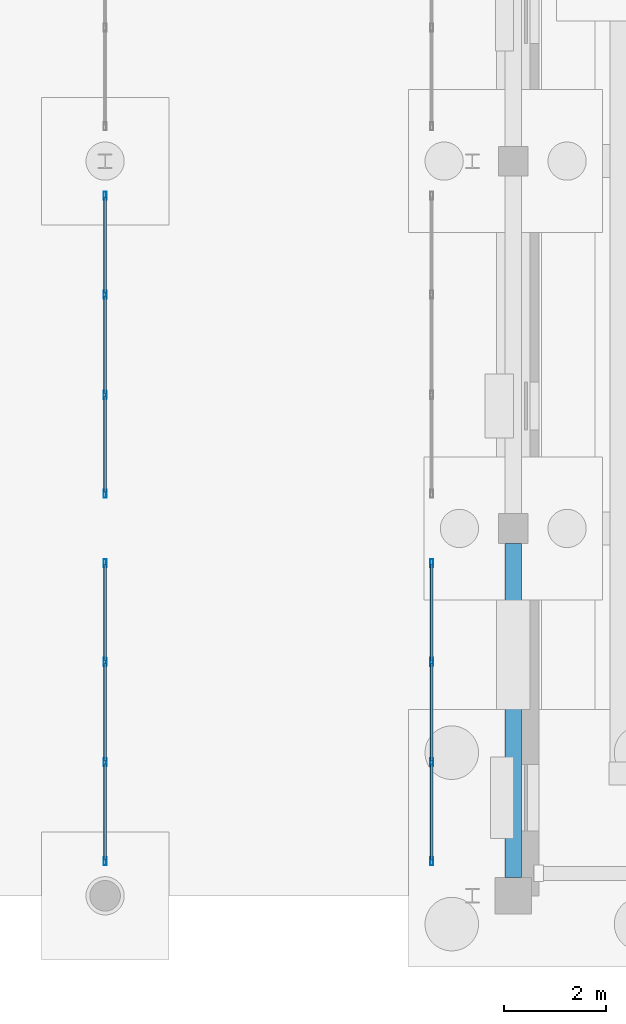
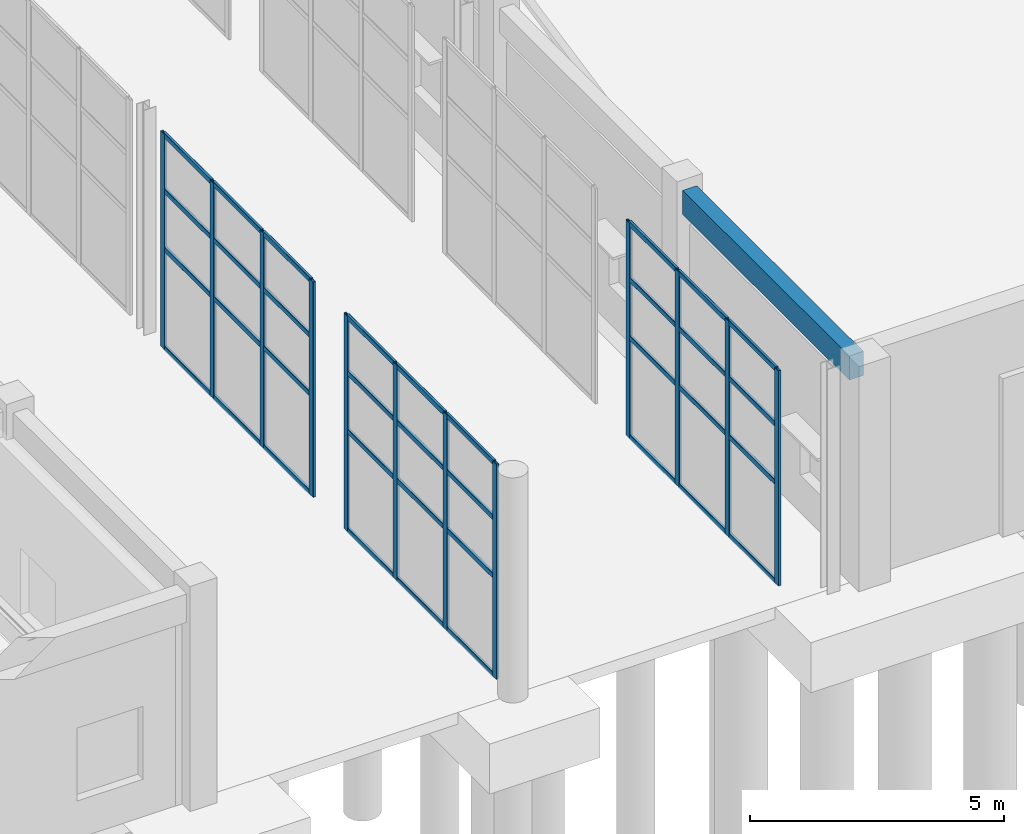
# One storey, part 22 of 91: 48 members, 1 beam, 3 elements without a shape of their own.
"""IFC4 building model written with IfcOpenShell, lengths in metres."""

from ifc_helpers import new_model, si_unit, direction, frame, origin, origin_2d, place, context, subcontext, project, spatial, rectangle, hollow_rectangle, extrude, material, material_profile, profile_set, type_object, element, aggregate, save


model = new_model("IFC4")

# Units and contexts
model_context = context("Model", 3, precision=1e-05, world=origin(), true_north=direction((0.0, 1.0)))
body_context = subcontext(model_context, "Body", "Model", "MODEL_VIEW")
ifc_project = project(units=[si_unit("LENGTHUNIT", "METRE"), si_unit("AREAUNIT", "SQUARE_METRE"), si_unit("VOLUMEUNIT", "CUBIC_METRE"), si_unit("PLANEANGLEUNIT", "RADIAN"), si_unit("MASSUNIT", "GRAM", prefix="KILO")], contexts=[model_context])

# Site, building, storey
site_placement = place(None, origin())
site = spatial("IfcSite", under=ifc_project, at=site_placement, CompositionType="ELEMENT")
building_placement = place(site_placement, origin())
building = spatial("IfcBuilding", under=site, at=building_placement, Name="Bramveld Media Centre", CompositionType="ELEMENT")
storey_placement = place(building_placement, origin())
storey = spatial("IfcBuildingStorey", under=building, at=storey_placement, Name="L00", CompositionType="ELEMENT", Elevation=0.0)

# Curtain wall, members
ifc_material_1 = material(Name="Thermally broken anodized bronze aluminium unitized curtain wall with solar-control triple glazing", Category="aluminium")
curtain_wall_type = type_object("IfcCurtainWallType", Name="CW-GAL-5900x5160", PredefinedType="NOTDEFINED", material=ifc_material_1)
curtain_wall_1_placement = place(storey_placement, origin())
curtain_wall_1 = element("IfcCurtainWall", 1, at=curtain_wall_1_placement, inside=storey, type_object=curtain_wall_type, Name="PASS-M colonnade glazed screen 1", PredefinedType="NOTDEFINED")
ifc_material_2 = material(Name="Thermally broken anodized bronze aluminium EN AW-6063 T6 curtain-wall framing", Category="aluminium")
ifc_material_profile_1 = material_profile(ifc_material_2, hollow_rectangle(XDim=0.06005859375, YDim=0.159912109375, WallThickness=0.00390625, InnerFilletRadius=0.00390625, OuterFilletRadius=0.008056640625, at=origin_2d()), Name="AL-MULL 60x160")
ifc_profile_set_1 = profile_set([ifc_material_profile_1], Name="Thermally broken anodized bronze aluminium EN AW-6063 T6 curtain-wall framing")
member_type_1 = type_object("IfcMemberType", Name="CW-MULL-EXT", PredefinedType="MULLION", material=ifc_profile_set_1)
member_1_placement = place(storey_placement, frame((116.0, 0.679931640625, 0.0), z_axis=(0.0, 0.0, 1.0), x_axis=(-1.0, 0.0, 0.0)))
member_1 = element("IfcMember", 2, at=member_1_placement, type_object=member_type_1, Name="CW-GA-5951 mullion 1", PredefinedType="MULLION", context=body_context, shape_type="SweptSolid", body=[
    extrude(hollow_rectangle(XDim=0.06005859375, YDim=0.159912109375, WallThickness=0.00390625, InnerFilletRadius=0.00390625, OuterFilletRadius=0.008056640625, at=origin_2d()), origin(), (0.0, 0.0, 1.0), 5.159912109375),
])
member_2_placement = place(storey_placement, frame((116.0, 2.61669921875, 0.0), z_axis=(0.0, 0.0, 1.0), x_axis=(-1.0, 0.0, 0.0)))
member_2 = element("IfcMember", 3, at=member_2_placement, type_object=member_type_1, Name="CW-GA-5951 mullion 2", PredefinedType="MULLION", context=body_context, shape_type="SweptSolid", body=[
    extrude(hollow_rectangle(XDim=0.06005859375, YDim=0.159912109375, WallThickness=0.00390625, InnerFilletRadius=0.00390625, OuterFilletRadius=0.008056640625, at=origin_2d()), origin(), (0.0, 0.0, 1.0), 5.159912109375),
])
member_3_placement = place(storey_placement, frame((116.0, 4.583251953125, 0.0), z_axis=(0.0, 0.0, 1.0), x_axis=(-1.0, 0.0, 0.0)))
member_3 = element("IfcMember", 4, at=member_3_placement, type_object=member_type_1, Name="CW-GA-5951 mullion 3", PredefinedType="MULLION", context=body_context, shape_type="SweptSolid", body=[
    extrude(hollow_rectangle(XDim=0.06005859375, YDim=0.159912109375, WallThickness=0.00390625, InnerFilletRadius=0.00390625, OuterFilletRadius=0.008056640625, at=origin_2d()), origin(), (0.0, 0.0, 1.0), 5.159912109375),
])
member_4_placement = place(storey_placement, frame((116.0, 6.52001953125, 0.0), z_axis=(0.0, 0.0, 1.0), x_axis=(-1.0, 0.0, 0.0)))
member_4 = element("IfcMember", 5, at=member_4_placement, type_object=member_type_1, Name="CW-GA-5951 mullion 4", PredefinedType="MULLION", context=body_context, shape_type="SweptSolid", body=[
    extrude(hollow_rectangle(XDim=0.06005859375, YDim=0.159912109375, WallThickness=0.00390625, InnerFilletRadius=0.00390625, OuterFilletRadius=0.008056640625, at=origin_2d()), origin(), (0.0, 0.0, 1.0), 5.159912109375),
])

curtain_wall_2_placement = place(storey_placement, origin())
curtain_wall_2 = element("IfcCurtainWall", 6, at=curtain_wall_2_placement, inside=storey, type_object=curtain_wall_type, Name="PASS-M colonnade glazed screen 2", PredefinedType="NOTDEFINED")
member_5_placement = place(storey_placement, frame((116.0, 7.8798828125, 0.0), z_axis=(0.0, 0.0, 1.0), x_axis=(-1.0, 0.0, 0.0)))
member_5 = element("IfcMember", 7, at=member_5_placement, type_object=member_type_1, Name="CW-GA-5951 mullion 1", PredefinedType="MULLION", context=body_context, shape_type="SweptSolid", body=[
    extrude(hollow_rectangle(XDim=0.06005859375, YDim=0.159912109375, WallThickness=0.00390625, InnerFilletRadius=0.00390625, OuterFilletRadius=0.008056640625, at=origin_2d()), origin(), (0.0, 0.0, 1.0), 5.159912109375),
])
member_6_placement = place(storey_placement, frame((116.0, 9.816650390625, 0.0), z_axis=(0.0, 0.0, 1.0), x_axis=(-1.0, 0.0, 0.0)))
member_6 = element("IfcMember", 8, at=member_6_placement, type_object=member_type_1, Name="CW-GA-5951 mullion 2", PredefinedType="MULLION", context=body_context, shape_type="SweptSolid", body=[
    extrude(hollow_rectangle(XDim=0.06005859375, YDim=0.159912109375, WallThickness=0.00390625, InnerFilletRadius=0.00390625, OuterFilletRadius=0.008056640625, at=origin_2d()), origin(), (0.0, 0.0, 1.0), 5.159912109375),
])
member_7_placement = place(storey_placement, frame((116.0, 11.783447265625, 0.0), z_axis=(0.0, 0.0, 1.0), x_axis=(-1.0, 0.0, 0.0)))
member_7 = element("IfcMember", 9, at=member_7_placement, type_object=member_type_1, Name="CW-GA-5951 mullion 3", PredefinedType="MULLION", context=body_context, shape_type="SweptSolid", body=[
    extrude(hollow_rectangle(XDim=0.06005859375, YDim=0.159912109375, WallThickness=0.00390625, InnerFilletRadius=0.00390625, OuterFilletRadius=0.008056640625, at=origin_2d()), origin(), (0.0, 0.0, 1.0), 5.159912109375),
])
member_8_placement = place(storey_placement, frame((116.0, 13.719970703125, 0.0), z_axis=(0.0, 0.0, 1.0), x_axis=(-1.0, 0.0, 0.0)))
member_8 = element("IfcMember", 10, at=member_8_placement, type_object=member_type_1, Name="CW-GA-5951 mullion 4", PredefinedType="MULLION", context=body_context, shape_type="SweptSolid", body=[
    extrude(hollow_rectangle(XDim=0.06005859375, YDim=0.159912109375, WallThickness=0.00390625, InnerFilletRadius=0.00390625, OuterFilletRadius=0.008056640625, at=origin_2d()), origin(), (0.0, 0.0, 1.0), 5.159912109375),
])

curtain_wall_3_placement = place(storey_placement, origin())
curtain_wall_3 = element("IfcCurtainWall", 11, at=curtain_wall_3_placement, inside=storey, type_object=curtain_wall_type, Name="PASS-E colonnade glazed screen 1", PredefinedType="NOTDEFINED")
member_9_placement = place(storey_placement, frame((122.39990234375, 0.679931640625, 0.0), z_axis=(0.0, 0.0, 1.0), x_axis=(-1.0, 0.0, 0.0)))
member_9 = element("IfcMember", 12, at=member_9_placement, type_object=member_type_1, Name="CW-GA-5951 mullion 1", PredefinedType="MULLION", context=body_context, shape_type="SweptSolid", body=[
    extrude(hollow_rectangle(XDim=0.06005859375, YDim=0.159912109375, WallThickness=0.00390625, InnerFilletRadius=0.00390625, OuterFilletRadius=0.008056640625, at=origin_2d()), origin(), (0.0, 0.0, 1.0), 5.159912109375),
])
member_10_placement = place(storey_placement, frame((122.39990234375, 2.61669921875, 0.0), z_axis=(0.0, 0.0, 1.0), x_axis=(-1.0, 0.0, 0.0)))
member_10 = element("IfcMember", 13, at=member_10_placement, type_object=member_type_1, Name="CW-GA-5951 mullion 2", PredefinedType="MULLION", context=body_context, shape_type="SweptSolid", body=[
    extrude(hollow_rectangle(XDim=0.06005859375, YDim=0.159912109375, WallThickness=0.00390625, InnerFilletRadius=0.00390625, OuterFilletRadius=0.008056640625, at=origin_2d()), origin(), (0.0, 0.0, 1.0), 5.159912109375),
])
member_11_placement = place(storey_placement, frame((122.39990234375, 4.583251953125, 0.0), z_axis=(0.0, 0.0, 1.0), x_axis=(-1.0, 0.0, 0.0)))
member_11 = element("IfcMember", 14, at=member_11_placement, type_object=member_type_1, Name="CW-GA-5951 mullion 3", PredefinedType="MULLION", context=body_context, shape_type="SweptSolid", body=[
    extrude(hollow_rectangle(XDim=0.06005859375, YDim=0.159912109375, WallThickness=0.00390625, InnerFilletRadius=0.00390625, OuterFilletRadius=0.008056640625, at=origin_2d()), origin(), (0.0, 0.0, 1.0), 5.159912109375),
])
member_12_placement = place(storey_placement, frame((122.39990234375, 6.52001953125, 0.0), z_axis=(0.0, 0.0, 1.0), x_axis=(-1.0, 0.0, 0.0)))
member_12 = element("IfcMember", 15, at=member_12_placement, type_object=member_type_1, Name="CW-GA-5951 mullion 4", PredefinedType="MULLION", context=body_context, shape_type="SweptSolid", body=[
    extrude(hollow_rectangle(XDim=0.06005859375, YDim=0.159912109375, WallThickness=0.00390625, InnerFilletRadius=0.00390625, OuterFilletRadius=0.008056640625, at=origin_2d()), origin(), (0.0, 0.0, 1.0), 5.159912109375),
])

# Member
ifc_material_3 = material(Name="Thermally broken anodized bronze aluminium EN AW-6063 T6 curtain-wall framing", Category="aluminium")
ifc_material_profile_2 = material_profile(ifc_material_3, hollow_rectangle(XDim=0.06005859375, YDim=0.1201171875, WallThickness=0.00341796875, InnerFilletRadius=0.00341796875, OuterFilletRadius=0.007080078125, at=origin_2d()), Name="AL-TRAN 60x120")
ifc_profile_set_2 = profile_set([ifc_material_profile_2], Name="Thermally broken anodized bronze aluminium EN AW-6063 T6 curtain-wall framing")
member_type_2 = type_object("IfcMemberType", Name="CW-TRAN-EXT", PredefinedType="USERDEFINED", material=ifc_profile_set_2)
member_13_placement = place(storey_placement, frame((116.0, 0.7099609375, 0.030029296875), z_axis=(0.0, 1.0, 0.0), x_axis=(-1.0, 0.0, 0.0)))
member_13 = element("IfcMember", 16, at=member_13_placement, type_object=member_type_2, Name="CW-GA-5951 transom 1.1", ObjectType="TRANSOM", PredefinedType="USERDEFINED", context=body_context, shape_type="SweptSolid", body=[
    extrude(hollow_rectangle(XDim=0.06005859375, YDim=0.1201171875, WallThickness=0.00341796875, InnerFilletRadius=0.00341796875, OuterFilletRadius=0.007080078125, at=origin_2d()), origin(), (0.0, 0.0, 1.0), 1.876708984375),
])

member_14_placement = place(storey_placement, frame((116.0, 0.7099609375, 2.39990234375), z_axis=(0.0, 1.0, 0.0), x_axis=(-1.0, 0.0, 0.0)))
member_14 = element("IfcMember", 17, at=member_14_placement, type_object=member_type_2, Name="CW-GA-5951 transom 1.2", ObjectType="TRANSOM", PredefinedType="USERDEFINED", context=body_context, shape_type="SweptSolid", body=[
    extrude(hollow_rectangle(XDim=0.06005859375, YDim=0.1201171875, WallThickness=0.00341796875, InnerFilletRadius=0.00341796875, OuterFilletRadius=0.007080078125, at=origin_2d()), origin(), (0.0, 0.0, 1.0), 1.876708984375),
])

member_15_placement = place(storey_placement, frame((116.0, 0.7099609375, 3.800048828125), z_axis=(0.0, 1.0, 0.0), x_axis=(-1.0, 0.0, 0.0)))
member_15 = element("IfcMember", 18, at=member_15_placement, type_object=member_type_2, Name="CW-GA-5951 transom 1.3", ObjectType="TRANSOM", PredefinedType="USERDEFINED", context=body_context, shape_type="SweptSolid", body=[
    extrude(hollow_rectangle(XDim=0.06005859375, YDim=0.1201171875, WallThickness=0.00341796875, InnerFilletRadius=0.00341796875, OuterFilletRadius=0.007080078125, at=origin_2d()), origin(), (0.0, 0.0, 1.0), 1.876708984375),
])

member_16_placement = place(storey_placement, frame((116.0, 0.7099609375, 5.1298828125), z_axis=(0.0, 1.0, 0.0), x_axis=(-1.0, 0.0, 0.0)))
member_16 = element("IfcMember", 19, at=member_16_placement, type_object=member_type_2, Name="CW-GA-5951 transom 1.4", ObjectType="TRANSOM", PredefinedType="USERDEFINED", context=body_context, shape_type="SweptSolid", body=[
    extrude(hollow_rectangle(XDim=0.06005859375, YDim=0.1201171875, WallThickness=0.00341796875, InnerFilletRadius=0.00341796875, OuterFilletRadius=0.007080078125, at=origin_2d()), origin(), (0.0, 0.0, 1.0), 1.876708984375),
])

member_17_placement = place(storey_placement, frame((116.0, 2.646728515625, 0.030029296875), z_axis=(0.0, 1.0, 0.0), x_axis=(-1.0, 0.0, 0.0)))
member_17 = element("IfcMember", 20, at=member_17_placement, type_object=member_type_2, Name="CW-GA-5951 transom 2.1", ObjectType="TRANSOM", PredefinedType="USERDEFINED", context=body_context, shape_type="SweptSolid", body=[
    extrude(hollow_rectangle(XDim=0.06005859375, YDim=0.1201171875, WallThickness=0.00341796875, InnerFilletRadius=0.00341796875, OuterFilletRadius=0.007080078125, at=origin_2d()), origin(), (0.0, 0.0, 1.0), 1.906494140625),
])

member_18_placement = place(storey_placement, frame((116.0, 2.646728515625, 2.39990234375), z_axis=(0.0, 1.0, 0.0), x_axis=(-1.0, 0.0, 0.0)))
member_18 = element("IfcMember", 21, at=member_18_placement, type_object=member_type_2, Name="CW-GA-5951 transom 2.2", ObjectType="TRANSOM", PredefinedType="USERDEFINED", context=body_context, shape_type="SweptSolid", body=[
    extrude(hollow_rectangle(XDim=0.06005859375, YDim=0.1201171875, WallThickness=0.00341796875, InnerFilletRadius=0.00341796875, OuterFilletRadius=0.007080078125, at=origin_2d()), origin(), (0.0, 0.0, 1.0), 1.906494140625),
])

member_19_placement = place(storey_placement, frame((116.0, 2.646728515625, 3.800048828125), z_axis=(0.0, 1.0, 0.0), x_axis=(-1.0, 0.0, 0.0)))
member_19 = element("IfcMember", 22, at=member_19_placement, type_object=member_type_2, Name="CW-GA-5951 transom 2.3", ObjectType="TRANSOM", PredefinedType="USERDEFINED", context=body_context, shape_type="SweptSolid", body=[
    extrude(hollow_rectangle(XDim=0.06005859375, YDim=0.1201171875, WallThickness=0.00341796875, InnerFilletRadius=0.00341796875, OuterFilletRadius=0.007080078125, at=origin_2d()), origin(), (0.0, 0.0, 1.0), 1.906494140625),
])

member_20_placement = place(storey_placement, frame((116.0, 2.646728515625, 5.1298828125), z_axis=(0.0, 1.0, 0.0), x_axis=(-1.0, 0.0, 0.0)))
member_20 = element("IfcMember", 23, at=member_20_placement, type_object=member_type_2, Name="CW-GA-5951 transom 2.4", ObjectType="TRANSOM", PredefinedType="USERDEFINED", context=body_context, shape_type="SweptSolid", body=[
    extrude(hollow_rectangle(XDim=0.06005859375, YDim=0.1201171875, WallThickness=0.00341796875, InnerFilletRadius=0.00341796875, OuterFilletRadius=0.007080078125, at=origin_2d()), origin(), (0.0, 0.0, 1.0), 1.906494140625),
])

member_21_placement = place(storey_placement, frame((116.0, 4.61328125, 0.030029296875), z_axis=(0.0, 1.0, 0.0), x_axis=(-1.0, 0.0, 0.0)))
member_21 = element("IfcMember", 24, at=member_21_placement, type_object=member_type_2, Name="CW-GA-5951 transom 3.1", ObjectType="TRANSOM", PredefinedType="USERDEFINED", context=body_context, shape_type="SweptSolid", body=[
    extrude(hollow_rectangle(XDim=0.06005859375, YDim=0.1201171875, WallThickness=0.00341796875, InnerFilletRadius=0.00341796875, OuterFilletRadius=0.007080078125, at=origin_2d()), origin(), (0.0, 0.0, 1.0), 1.876708984375),
])

member_22_placement = place(storey_placement, frame((116.0, 4.61328125, 2.39990234375), z_axis=(0.0, 1.0, 0.0), x_axis=(-1.0, 0.0, 0.0)))
member_22 = element("IfcMember", 25, at=member_22_placement, type_object=member_type_2, Name="CW-GA-5951 transom 3.2", ObjectType="TRANSOM", PredefinedType="USERDEFINED", context=body_context, shape_type="SweptSolid", body=[
    extrude(hollow_rectangle(XDim=0.06005859375, YDim=0.1201171875, WallThickness=0.00341796875, InnerFilletRadius=0.00341796875, OuterFilletRadius=0.007080078125, at=origin_2d()), origin(), (0.0, 0.0, 1.0), 1.876708984375),
])

member_23_placement = place(storey_placement, frame((116.0, 4.61328125, 3.800048828125), z_axis=(0.0, 1.0, 0.0), x_axis=(-1.0, 0.0, 0.0)))
member_23 = element("IfcMember", 26, at=member_23_placement, type_object=member_type_2, Name="CW-GA-5951 transom 3.3", ObjectType="TRANSOM", PredefinedType="USERDEFINED", context=body_context, shape_type="SweptSolid", body=[
    extrude(hollow_rectangle(XDim=0.06005859375, YDim=0.1201171875, WallThickness=0.00341796875, InnerFilletRadius=0.00341796875, OuterFilletRadius=0.007080078125, at=origin_2d()), origin(), (0.0, 0.0, 1.0), 1.876708984375),
])

member_24_placement = place(storey_placement, frame((116.0, 4.61328125, 5.1298828125), z_axis=(0.0, 1.0, 0.0), x_axis=(-1.0, 0.0, 0.0)))
member_24 = element("IfcMember", 27, at=member_24_placement, type_object=member_type_2, Name="CW-GA-5951 transom 3.4", ObjectType="TRANSOM", PredefinedType="USERDEFINED", context=body_context, shape_type="SweptSolid", body=[
    extrude(hollow_rectangle(XDim=0.06005859375, YDim=0.1201171875, WallThickness=0.00341796875, InnerFilletRadius=0.00341796875, OuterFilletRadius=0.007080078125, at=origin_2d()), origin(), (0.0, 0.0, 1.0), 1.876708984375),
])

aggregate(curtain_wall_1, [member_1, member_2, member_3, member_4, member_13, member_14, member_15, member_16, member_17, member_18, member_19, member_20, member_21, member_22, member_23, member_24])

member_25_placement = place(storey_placement, frame((116.0, 7.909912109375, 0.030029296875), z_axis=(0.0, 1.0, 0.0), x_axis=(-1.0, 0.0, 0.0)))
member_25 = element("IfcMember", 28, at=member_25_placement, type_object=member_type_2, Name="CW-GA-5951 transom 1.1", ObjectType="TRANSOM", PredefinedType="USERDEFINED", context=body_context, shape_type="SweptSolid", body=[
    extrude(hollow_rectangle(XDim=0.06005859375, YDim=0.1201171875, WallThickness=0.00341796875, InnerFilletRadius=0.00341796875, OuterFilletRadius=0.007080078125, at=origin_2d()), origin(), (0.0, 0.0, 1.0), 1.876708984375),
])

member_26_placement = place(storey_placement, frame((116.0, 7.909912109375, 2.39990234375), z_axis=(0.0, 1.0, 0.0), x_axis=(-1.0, 0.0, 0.0)))
member_26 = element("IfcMember", 29, at=member_26_placement, type_object=member_type_2, Name="CW-GA-5951 transom 1.2", ObjectType="TRANSOM", PredefinedType="USERDEFINED", context=body_context, shape_type="SweptSolid", body=[
    extrude(hollow_rectangle(XDim=0.06005859375, YDim=0.1201171875, WallThickness=0.00341796875, InnerFilletRadius=0.00341796875, OuterFilletRadius=0.007080078125, at=origin_2d()), origin(), (0.0, 0.0, 1.0), 1.876708984375),
])

member_27_placement = place(storey_placement, frame((116.0, 7.909912109375, 3.800048828125), z_axis=(0.0, 1.0, 0.0), x_axis=(-1.0, 0.0, 0.0)))
member_27 = element("IfcMember", 30, at=member_27_placement, type_object=member_type_2, Name="CW-GA-5951 transom 1.3", ObjectType="TRANSOM", PredefinedType="USERDEFINED", context=body_context, shape_type="SweptSolid", body=[
    extrude(hollow_rectangle(XDim=0.06005859375, YDim=0.1201171875, WallThickness=0.00341796875, InnerFilletRadius=0.00341796875, OuterFilletRadius=0.007080078125, at=origin_2d()), origin(), (0.0, 0.0, 1.0), 1.876708984375),
])

member_28_placement = place(storey_placement, frame((116.0, 7.909912109375, 5.1298828125), z_axis=(0.0, 1.0, 0.0), x_axis=(-1.0, 0.0, 0.0)))
member_28 = element("IfcMember", 31, at=member_28_placement, type_object=member_type_2, Name="CW-GA-5951 transom 1.4", ObjectType="TRANSOM", PredefinedType="USERDEFINED", context=body_context, shape_type="SweptSolid", body=[
    extrude(hollow_rectangle(XDim=0.06005859375, YDim=0.1201171875, WallThickness=0.00341796875, InnerFilletRadius=0.00341796875, OuterFilletRadius=0.007080078125, at=origin_2d()), origin(), (0.0, 0.0, 1.0), 1.876708984375),
])

member_29_placement = place(storey_placement, frame((116.0, 9.8466796875, 0.030029296875), z_axis=(0.0, 1.0, 0.0), x_axis=(-1.0, 0.0, 0.0)))
member_29 = element("IfcMember", 32, at=member_29_placement, type_object=member_type_2, Name="CW-GA-5951 transom 2.1", ObjectType="TRANSOM", PredefinedType="USERDEFINED", context=body_context, shape_type="SweptSolid", body=[
    extrude(hollow_rectangle(XDim=0.06005859375, YDim=0.1201171875, WallThickness=0.00341796875, InnerFilletRadius=0.00341796875, OuterFilletRadius=0.007080078125, at=origin_2d()), origin(), (0.0, 0.0, 1.0), 1.90673828125),
])

member_30_placement = place(storey_placement, frame((116.0, 9.8466796875, 2.39990234375), z_axis=(0.0, 1.0, 0.0), x_axis=(-1.0, 0.0, 0.0)))
member_30 = element("IfcMember", 33, at=member_30_placement, type_object=member_type_2, Name="CW-GA-5951 transom 2.2", ObjectType="TRANSOM", PredefinedType="USERDEFINED", context=body_context, shape_type="SweptSolid", body=[
    extrude(hollow_rectangle(XDim=0.06005859375, YDim=0.1201171875, WallThickness=0.00341796875, InnerFilletRadius=0.00341796875, OuterFilletRadius=0.007080078125, at=origin_2d()), origin(), (0.0, 0.0, 1.0), 1.90673828125),
])

member_31_placement = place(storey_placement, frame((116.0, 9.8466796875, 3.800048828125), z_axis=(0.0, 1.0, 0.0), x_axis=(-1.0, 0.0, 0.0)))
member_31 = element("IfcMember", 34, at=member_31_placement, type_object=member_type_2, Name="CW-GA-5951 transom 2.3", ObjectType="TRANSOM", PredefinedType="USERDEFINED", context=body_context, shape_type="SweptSolid", body=[
    extrude(hollow_rectangle(XDim=0.06005859375, YDim=0.1201171875, WallThickness=0.00341796875, InnerFilletRadius=0.00341796875, OuterFilletRadius=0.007080078125, at=origin_2d()), origin(), (0.0, 0.0, 1.0), 1.90673828125),
])

member_32_placement = place(storey_placement, frame((116.0, 9.8466796875, 5.1298828125), z_axis=(0.0, 1.0, 0.0), x_axis=(-1.0, 0.0, 0.0)))
member_32 = element("IfcMember", 35, at=member_32_placement, type_object=member_type_2, Name="CW-GA-5951 transom 2.4", ObjectType="TRANSOM", PredefinedType="USERDEFINED", context=body_context, shape_type="SweptSolid", body=[
    extrude(hollow_rectangle(XDim=0.06005859375, YDim=0.1201171875, WallThickness=0.00341796875, InnerFilletRadius=0.00341796875, OuterFilletRadius=0.007080078125, at=origin_2d()), origin(), (0.0, 0.0, 1.0), 1.90673828125),
])

member_33_placement = place(storey_placement, frame((116.0, 11.813232421875, 0.030029296875), z_axis=(0.0, 1.0, 0.0), x_axis=(-1.0, 0.0, 0.0)))
member_33 = element("IfcMember", 36, at=member_33_placement, type_object=member_type_2, Name="CW-GA-5951 transom 3.1", ObjectType="TRANSOM", PredefinedType="USERDEFINED", context=body_context, shape_type="SweptSolid", body=[
    extrude(hollow_rectangle(XDim=0.06005859375, YDim=0.1201171875, WallThickness=0.00341796875, InnerFilletRadius=0.00341796875, OuterFilletRadius=0.007080078125, at=origin_2d()), origin(), (0.0, 0.0, 1.0), 1.876708984375),
])

member_34_placement = place(storey_placement, frame((116.0, 11.813232421875, 2.39990234375), z_axis=(0.0, 1.0, 0.0), x_axis=(-1.0, 0.0, 0.0)))
member_34 = element("IfcMember", 37, at=member_34_placement, type_object=member_type_2, Name="CW-GA-5951 transom 3.2", ObjectType="TRANSOM", PredefinedType="USERDEFINED", context=body_context, shape_type="SweptSolid", body=[
    extrude(hollow_rectangle(XDim=0.06005859375, YDim=0.1201171875, WallThickness=0.00341796875, InnerFilletRadius=0.00341796875, OuterFilletRadius=0.007080078125, at=origin_2d()), origin(), (0.0, 0.0, 1.0), 1.876708984375),
])

member_35_placement = place(storey_placement, frame((116.0, 11.813232421875, 3.800048828125), z_axis=(0.0, 1.0, 0.0), x_axis=(-1.0, 0.0, 0.0)))
member_35 = element("IfcMember", 38, at=member_35_placement, type_object=member_type_2, Name="CW-GA-5951 transom 3.3", ObjectType="TRANSOM", PredefinedType="USERDEFINED", context=body_context, shape_type="SweptSolid", body=[
    extrude(hollow_rectangle(XDim=0.06005859375, YDim=0.1201171875, WallThickness=0.00341796875, InnerFilletRadius=0.00341796875, OuterFilletRadius=0.007080078125, at=origin_2d()), origin(), (0.0, 0.0, 1.0), 1.876708984375),
])

member_36_placement = place(storey_placement, frame((116.0, 11.813232421875, 5.1298828125), z_axis=(0.0, 1.0, 0.0), x_axis=(-1.0, 0.0, 0.0)))
member_36 = element("IfcMember", 39, at=member_36_placement, type_object=member_type_2, Name="CW-GA-5951 transom 3.4", ObjectType="TRANSOM", PredefinedType="USERDEFINED", context=body_context, shape_type="SweptSolid", body=[
    extrude(hollow_rectangle(XDim=0.06005859375, YDim=0.1201171875, WallThickness=0.00341796875, InnerFilletRadius=0.00341796875, OuterFilletRadius=0.007080078125, at=origin_2d()), origin(), (0.0, 0.0, 1.0), 1.876708984375),
])

aggregate(curtain_wall_2, [member_5, member_6, member_7, member_8, member_25, member_26, member_27, member_28, member_29, member_30, member_31, member_32, member_33, member_34, member_35, member_36])

member_37_placement = place(storey_placement, frame((122.39990234375, 0.7099609375, 0.030029296875), z_axis=(0.0, 1.0, 0.0), x_axis=(-1.0, 0.0, 0.0)))
member_37 = element("IfcMember", 40, at=member_37_placement, type_object=member_type_2, Name="CW-GA-5951 transom 1.1", ObjectType="TRANSOM", PredefinedType="USERDEFINED", context=body_context, shape_type="SweptSolid", body=[
    extrude(hollow_rectangle(XDim=0.06005859375, YDim=0.1201171875, WallThickness=0.00341796875, InnerFilletRadius=0.00341796875, OuterFilletRadius=0.007080078125, at=origin_2d()), origin(), (0.0, 0.0, 1.0), 1.876708984375),
])

member_38_placement = place(storey_placement, frame((122.39990234375, 0.7099609375, 2.39990234375), z_axis=(0.0, 1.0, 0.0), x_axis=(-1.0, 0.0, 0.0)))
member_38 = element("IfcMember", 41, at=member_38_placement, type_object=member_type_2, Name="CW-GA-5951 transom 1.2", ObjectType="TRANSOM", PredefinedType="USERDEFINED", context=body_context, shape_type="SweptSolid", body=[
    extrude(hollow_rectangle(XDim=0.06005859375, YDim=0.1201171875, WallThickness=0.00341796875, InnerFilletRadius=0.00341796875, OuterFilletRadius=0.007080078125, at=origin_2d()), origin(), (0.0, 0.0, 1.0), 1.876708984375),
])

member_39_placement = place(storey_placement, frame((122.39990234375, 0.7099609375, 3.800048828125), z_axis=(0.0, 1.0, 0.0), x_axis=(-1.0, 0.0, 0.0)))
member_39 = element("IfcMember", 42, at=member_39_placement, type_object=member_type_2, Name="CW-GA-5951 transom 1.3", ObjectType="TRANSOM", PredefinedType="USERDEFINED", context=body_context, shape_type="SweptSolid", body=[
    extrude(hollow_rectangle(XDim=0.06005859375, YDim=0.1201171875, WallThickness=0.00341796875, InnerFilletRadius=0.00341796875, OuterFilletRadius=0.007080078125, at=origin_2d()), origin(), (0.0, 0.0, 1.0), 1.876708984375),
])

member_40_placement = place(storey_placement, frame((122.39990234375, 0.7099609375, 5.1298828125), z_axis=(0.0, 1.0, 0.0), x_axis=(-1.0, 0.0, 0.0)))
member_40 = element("IfcMember", 43, at=member_40_placement, type_object=member_type_2, Name="CW-GA-5951 transom 1.4", ObjectType="TRANSOM", PredefinedType="USERDEFINED", context=body_context, shape_type="SweptSolid", body=[
    extrude(hollow_rectangle(XDim=0.06005859375, YDim=0.1201171875, WallThickness=0.00341796875, InnerFilletRadius=0.00341796875, OuterFilletRadius=0.007080078125, at=origin_2d()), origin(), (0.0, 0.0, 1.0), 1.876708984375),
])

member_41_placement = place(storey_placement, frame((122.39990234375, 2.646728515625, 0.030029296875), z_axis=(0.0, 1.0, 0.0), x_axis=(-1.0, 0.0, 0.0)))
member_41 = element("IfcMember", 44, at=member_41_placement, type_object=member_type_2, Name="CW-GA-5951 transom 2.1", ObjectType="TRANSOM", PredefinedType="USERDEFINED", context=body_context, shape_type="SweptSolid", body=[
    extrude(hollow_rectangle(XDim=0.06005859375, YDim=0.1201171875, WallThickness=0.00341796875, InnerFilletRadius=0.00341796875, OuterFilletRadius=0.007080078125, at=origin_2d()), origin(), (0.0, 0.0, 1.0), 1.906494140625),
])

member_42_placement = place(storey_placement, frame((122.39990234375, 2.646728515625, 2.39990234375), z_axis=(0.0, 1.0, 0.0), x_axis=(-1.0, 0.0, 0.0)))
member_42 = element("IfcMember", 45, at=member_42_placement, type_object=member_type_2, Name="CW-GA-5951 transom 2.2", ObjectType="TRANSOM", PredefinedType="USERDEFINED", context=body_context, shape_type="SweptSolid", body=[
    extrude(hollow_rectangle(XDim=0.06005859375, YDim=0.1201171875, WallThickness=0.00341796875, InnerFilletRadius=0.00341796875, OuterFilletRadius=0.007080078125, at=origin_2d()), origin(), (0.0, 0.0, 1.0), 1.906494140625),
])

member_43_placement = place(storey_placement, frame((122.39990234375, 2.646728515625, 3.800048828125), z_axis=(0.0, 1.0, 0.0), x_axis=(-1.0, 0.0, 0.0)))
member_43 = element("IfcMember", 46, at=member_43_placement, type_object=member_type_2, Name="CW-GA-5951 transom 2.3", ObjectType="TRANSOM", PredefinedType="USERDEFINED", context=body_context, shape_type="SweptSolid", body=[
    extrude(hollow_rectangle(XDim=0.06005859375, YDim=0.1201171875, WallThickness=0.00341796875, InnerFilletRadius=0.00341796875, OuterFilletRadius=0.007080078125, at=origin_2d()), origin(), (0.0, 0.0, 1.0), 1.906494140625),
])

member_44_placement = place(storey_placement, frame((122.39990234375, 2.646728515625, 5.1298828125), z_axis=(0.0, 1.0, 0.0), x_axis=(-1.0, 0.0, 0.0)))
member_44 = element("IfcMember", 47, at=member_44_placement, type_object=member_type_2, Name="CW-GA-5951 transom 2.4", ObjectType="TRANSOM", PredefinedType="USERDEFINED", context=body_context, shape_type="SweptSolid", body=[
    extrude(hollow_rectangle(XDim=0.06005859375, YDim=0.1201171875, WallThickness=0.00341796875, InnerFilletRadius=0.00341796875, OuterFilletRadius=0.007080078125, at=origin_2d()), origin(), (0.0, 0.0, 1.0), 1.906494140625),
])

member_45_placement = place(storey_placement, frame((122.39990234375, 4.61328125, 0.030029296875), z_axis=(0.0, 1.0, 0.0), x_axis=(-1.0, 0.0, 0.0)))
member_45 = element("IfcMember", 48, at=member_45_placement, type_object=member_type_2, Name="CW-GA-5951 transom 3.1", ObjectType="TRANSOM", PredefinedType="USERDEFINED", context=body_context, shape_type="SweptSolid", body=[
    extrude(hollow_rectangle(XDim=0.06005859375, YDim=0.1201171875, WallThickness=0.00341796875, InnerFilletRadius=0.00341796875, OuterFilletRadius=0.007080078125, at=origin_2d()), origin(), (0.0, 0.0, 1.0), 1.876708984375),
])

member_46_placement = place(storey_placement, frame((122.39990234375, 4.61328125, 2.39990234375), z_axis=(0.0, 1.0, 0.0), x_axis=(-1.0, 0.0, 0.0)))
member_46 = element("IfcMember", 49, at=member_46_placement, type_object=member_type_2, Name="CW-GA-5951 transom 3.2", ObjectType="TRANSOM", PredefinedType="USERDEFINED", context=body_context, shape_type="SweptSolid", body=[
    extrude(hollow_rectangle(XDim=0.06005859375, YDim=0.1201171875, WallThickness=0.00341796875, InnerFilletRadius=0.00341796875, OuterFilletRadius=0.007080078125, at=origin_2d()), origin(), (0.0, 0.0, 1.0), 1.876708984375),
])

member_47_placement = place(storey_placement, frame((122.39990234375, 4.61328125, 3.800048828125), z_axis=(0.0, 1.0, 0.0), x_axis=(-1.0, 0.0, 0.0)))
member_47 = element("IfcMember", 50, at=member_47_placement, type_object=member_type_2, Name="CW-GA-5951 transom 3.3", ObjectType="TRANSOM", PredefinedType="USERDEFINED", context=body_context, shape_type="SweptSolid", body=[
    extrude(hollow_rectangle(XDim=0.06005859375, YDim=0.1201171875, WallThickness=0.00341796875, InnerFilletRadius=0.00341796875, OuterFilletRadius=0.007080078125, at=origin_2d()), origin(), (0.0, 0.0, 1.0), 1.876708984375),
])

member_48_placement = place(storey_placement, frame((122.39990234375, 4.61328125, 5.1298828125), z_axis=(0.0, 1.0, 0.0), x_axis=(-1.0, 0.0, 0.0)))
member_48 = element("IfcMember", 51, at=member_48_placement, type_object=member_type_2, Name="CW-GA-5951 transom 3.4", ObjectType="TRANSOM", PredefinedType="USERDEFINED", context=body_context, shape_type="SweptSolid", body=[
    extrude(hollow_rectangle(XDim=0.06005859375, YDim=0.1201171875, WallThickness=0.00341796875, InnerFilletRadius=0.00341796875, OuterFilletRadius=0.007080078125, at=origin_2d()), origin(), (0.0, 0.0, 1.0), 1.876708984375),
])

aggregate(curtain_wall_3, [member_9, member_10, member_11, member_12, member_37, member_38, member_39, member_40, member_41, member_42, member_43, member_44, member_45, member_46, member_47, member_48])

# Beam
ifc_material_4 = material(Name="Concrete C40/50", Category="concrete")
ifc_material_profile_3 = material_profile(ifc_material_4, rectangle(XDim=0.320068359375, YDim=0.580078125, at=origin_2d()), Name="RC 320x580")
ifc_profile_set_3 = profile_set([ifc_material_profile_3], Name="Concrete C40/50")
beam_type = type_object("IfcBeamType", Name="SPANDREL-EXT-RC-320x580", PredefinedType="SPANDREL", material=ifc_profile_set_3)
beam_placement = place(storey_placement, frame((124.0, 0.360107421875, 4.860107421875), z_axis=(0.0, 1.0, 0.0), x_axis=(-1.0, 0.0, 0.0)))
element("IfcBeam", 52, at=beam_placement, inside=storey, type_object=beam_type, Name="V1 L00 girder Y-17", PredefinedType="SPANDREL", context=body_context, shape_type="SweptSolid", body=[
    extrude(rectangle(XDim=0.320068359375, YDim=0.580078125, at=origin_2d()), origin(), (0.0, 0.0, 1.0), 6.5498046875),
])

save(model, "model.ifc")
